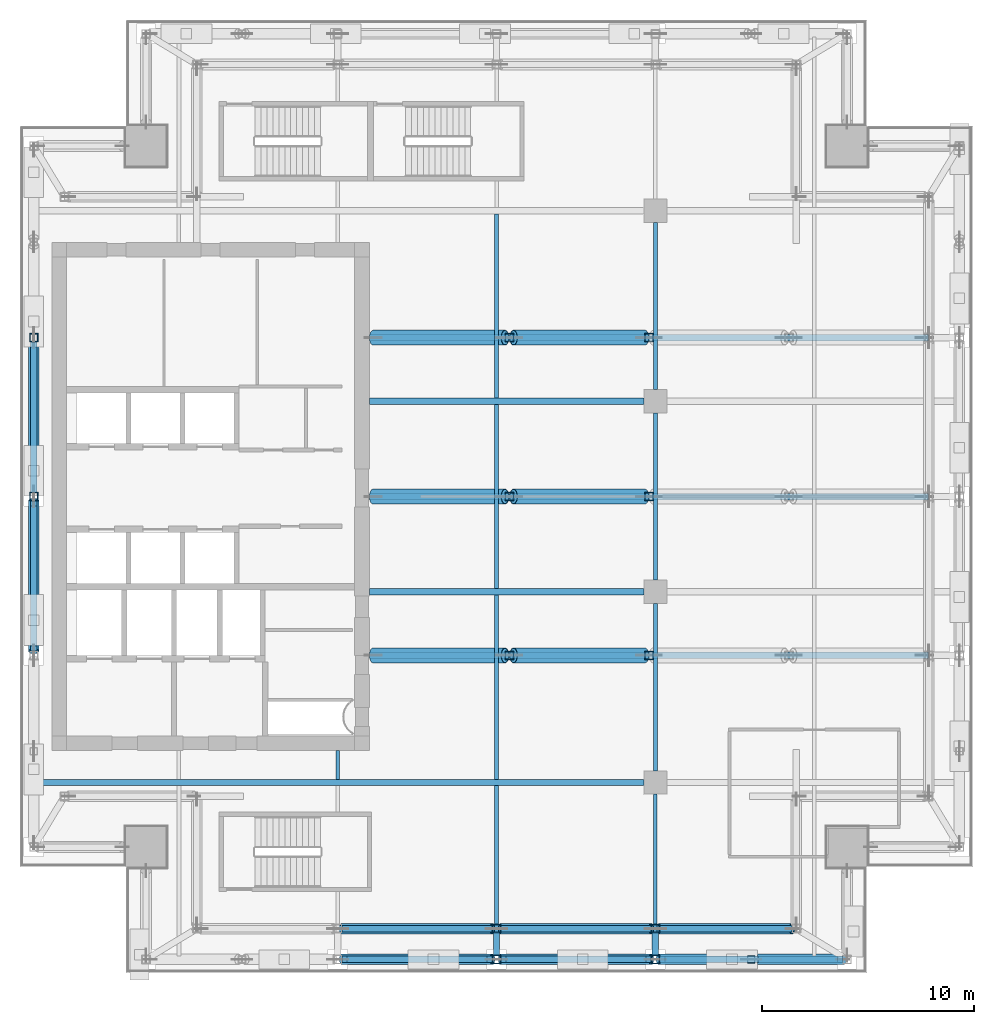
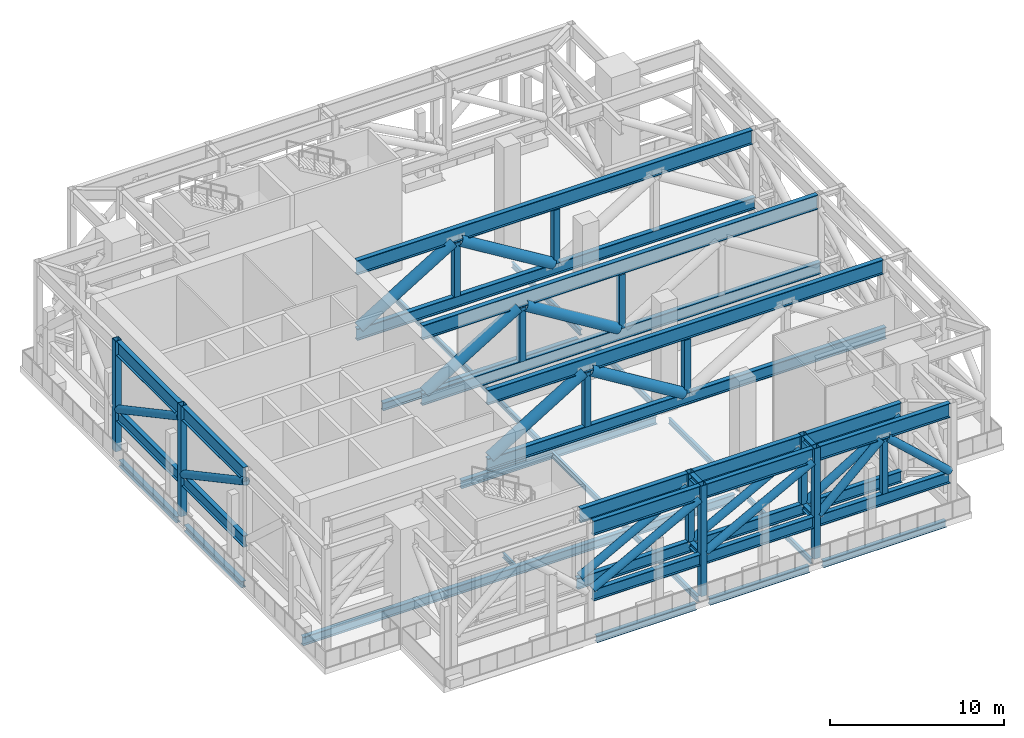
# One storey, part 2 of 15: 50 members, 21 beams.
"""IFC4 building model written with IfcOpenShell, lengths in metres."""

from ifc_helpers import new_model, si_unit, direction, frame, origin, origin_2d, place, context, subcontext, project, spatial, hollow_rectangle, hollow_circle, i_section, extrude, source, transform, mapped, material, material_profile, profile_set, type_object, element, save


model = new_model("IFC4")

# Units and contexts
model_context = context("Model", 3, precision=1e-05, world=origin(), true_north=direction((0.0, 1.0)))
body_context = subcontext(model_context, "Body", "Model", "MODEL_VIEW")
ifc_project = project(units=[si_unit("LENGTHUNIT", "METRE"), si_unit("AREAUNIT", "SQUARE_METRE"), si_unit("VOLUMEUNIT", "CUBIC_METRE"), si_unit("PLANEANGLEUNIT", "RADIAN"), si_unit("MASSUNIT", "GRAM", prefix="KILO")], contexts=[model_context])

# Site, building, storey
site_placement = place(None, origin())
site = spatial("IfcSite", under=ifc_project, at=site_placement, CompositionType="ELEMENT")
building_placement = place(site_placement, origin())
building = spatial("IfcBuilding", under=site, at=building_placement, Name="Khomas Fold Tower", CompositionType="ELEMENT")
storey_placement = place(building_placement, frame((0.0, 0.0, 274.199951171875)))
storey = spatial("IfcBuildingStorey", under=building, at=storey_placement, Name="L62", CompositionType="ELEMENT", Elevation=274.199951171875)

# Beams
ifc_material_1 = material(Name="Steel S355", Category="steel")
ifc_material_profile_1 = material_profile(ifc_material_1, i_section(OverallWidth=0.179931640625, OverallDepth=0.39990234375, WebThickness=0.008544921875, FlangeThickness=0.013427734375, at=origin_2d()), Name="IPE 400")
ifc_profile_set_1 = profile_set([ifc_material_profile_1], Name="Steel S355")
beam_type_1 = type_object("IfcBeamType", Name="IPE 400 beam JB3", PredefinedType="BEAM", material=ifc_profile_set_1)
shared_shape_1 = source(origin(), body_context, "Body", "SweptSolid", [
    extrude(i_section(OverallWidth=0.179931640625, OverallDepth=0.39990234375, WebThickness=0.008544921875, FlangeThickness=0.013427734375, at=origin_2d()), origin(), (0.0, 0.0, 1.0), 8.7001953125),
])
for number, where, z_axis, x_axis, name in (
    (1, (27.0, 13.64990234375, -0.599853515625), (0.0, 1.0, 0.0), (-1.0, 0.0, 0.0), "JB3"),
    (2, (27.0, 22.64990234375, -0.599853515625), (0.0, 1.0, 0.0), (-1.0, 0.0, 0.0), "JB3"),
    (3, (27.0, 31.64990234375, -0.599853515625), (0.0, 1.0, 0.0), (-1.0, 0.0, 0.0), "JB3"),
):
    element("IfcBeam", number, at=place(storey_placement, frame(where, z_axis=z_axis, x_axis=x_axis)), inside=storey, type_object=beam_type_1, Name=name, PredefinedType="BEAM", context=body_context, shape_type="MappedRepresentation", body=[
        mapped(shared_shape_1, transform((0.0, 0.0, 0.0))),
    ])
ifc_material_2 = material(Name="Steel S355", Category="steel")
ifc_material_profile_2 = material_profile(ifc_material_2, i_section(OverallWidth=0.159912109375, OverallDepth=0.330078125, WebThickness=0.007568359375, FlangeThickness=0.011474609375, at=origin_2d()), Name="IPE 330")
ifc_profile_set_2 = profile_set([ifc_material_profile_2], Name="Steel S355")
beam_type_2 = type_object("IfcBeamType", Name="IPE 330 beam JB1", PredefinedType="BEAM", material=ifc_profile_set_2)
shared_shape_2 = source(origin(), body_context, "Body", "SweptSolid", [
    extrude(i_section(OverallWidth=0.159912109375, OverallDepth=0.330078125, WebThickness=0.007568359375, FlangeThickness=0.011474609375, at=origin_2d()), origin(), (0.0, 0.0, 1.0), 1.35009765625),
])
beam_1_placement = place(storey_placement, frame((19.5, 13.64990234375, -0.56494140625), z_axis=(0.0, 1.0, 0.0), x_axis=(-1.0, 0.0, 0.0)))
element("IfcBeam", 4, at=beam_1_placement, inside=storey, type_object=beam_type_2, Name="JB1", PredefinedType="BEAM", context=body_context, shape_type="MappedRepresentation", body=[
    mapped(shared_shape_2, transform((0.0, 0.0, 0.0))),
])
ifc_material_3 = material(Name="Steel S355", Category="steel")
ifc_material_profile_3 = material_profile(ifc_material_3, i_section(OverallWidth=0.300048828125, OverallDepth=0.449951171875, WebThickness=0.013916015625, FlangeThickness=0.02587890625, at=origin_2d()), Name="HE 450 B")
ifc_profile_set_3 = profile_set([ifc_material_profile_3], Name="Steel S355")
beam_type_3 = type_object("IfcBeamType", Name="HE 450 B spandrel SB4", PredefinedType="SPANDREL", material=ifc_profile_set_3)
shared_shape_3 = source(origin(), body_context, "Body", "SweptSolid", [
    extrude(i_section(OverallWidth=0.300048828125, OverallDepth=0.449951171875, WebThickness=0.013916015625, FlangeThickness=0.02587890625, at=origin_2d()), origin(), (0.0, 0.0, 1.0), 8.150146484375),
])
beam_2_placement = place(storey_placement, frame((34.949951171875, 5.14990234375, -0.625), z_axis=(1.0, 0.0, 0.0), x_axis=(0.0, 1.0, 0.0)))
element("IfcBeam", 5, at=beam_2_placement, inside=storey, type_object=beam_type_3, Name="SB4", PredefinedType="SPANDREL", context=body_context, shape_type="MappedRepresentation", body=[
    mapped(shared_shape_3, transform((0.0, 0.0, 0.0))),
])
shared_shape_4 = source(origin(), body_context, "Body", "SweptSolid", [
    extrude(i_section(OverallWidth=0.300048828125, OverallDepth=0.449951171875, WebThickness=0.013916015625, FlangeThickness=0.02587890625, at=origin_2d()), origin(), (0.0, 0.0, 1.0), 6.60009765625),
])
for number, where, z_axis, x_axis, name in (
    (6, (19.949951171875, 5.14990234375, -0.625), (1.0, 0.0, 0.0), (0.0, 1.0, 0.0), "SB4"),
    (7, (27.449951171875, 5.14990234375, -0.625), (1.0, 0.0, 0.0), (0.0, 1.0, 0.0), "SB4"),
    (8, (5.14990234375, 27.449951171875, -0.625), (0.0, 1.0, 0.0), (-1.0, 0.0, 0.0), "SB4"),
    (9, (5.14990234375, 19.949951171875, -0.625), (0.0, 1.0, 0.0), (-1.0, 0.0, 0.0), "SB4"),
):
    element("IfcBeam", number, at=place(storey_placement, frame(where, z_axis=z_axis, x_axis=x_axis)), inside=storey, type_object=beam_type_3, Name=name, PredefinedType="SPANDREL", context=body_context, shape_type="MappedRepresentation", body=[
        mapped(shared_shape_4, transform((0.0, 0.0, 0.0))),
    ])
ifc_material_4 = material(Name="Steel S355", Category="steel")
ifc_material_profile_4 = material_profile(ifc_material_4, i_section(OverallWidth=0.300048828125, OverallDepth=0.60009765625, WebThickness=0.015380859375, FlangeThickness=0.030029296875, at=origin_2d()), Name="HE 600 B")
ifc_profile_set_4 = profile_set([ifc_material_profile_4], Name="Steel S355")
beam_type_4 = type_object("IfcBeamType", Name="HE 600 B beam GB5", PredefinedType="BEAM", material=ifc_profile_set_4)
shared_shape_5 = source(origin(), body_context, "Body", "SweptSolid", [
    extrude(i_section(OverallWidth=0.300048828125, OverallDepth=0.60009765625, WebThickness=0.015380859375, FlangeThickness=0.030029296875, at=origin_2d()), origin(), (0.0, 0.0, 1.0), 28.64990234375),
])
beam_3_placement = place(storey_placement, frame((5.300048828125, 13.5, -0.699951171875), z_axis=(1.0, 0.0, 0.0), x_axis=(0.0, 1.0, 0.0)))
element("IfcBeam", 10, at=beam_3_placement, inside=storey, type_object=beam_type_4, Name="GB5", PredefinedType="BEAM", context=body_context, shape_type="MappedRepresentation", body=[
    mapped(shared_shape_5, transform((0.0, 0.0, 0.0))),
])
ifc_material_5 = material(Name="Steel S355", Category="steel")
ifc_material_profile_5 = material_profile(ifc_material_5, i_section(OverallWidth=0.300048828125, OverallDepth=0.550048828125, WebThickness=0.014892578125, FlangeThickness=0.029052734375, at=origin_2d()), Name="HE 550 B")
ifc_profile_set_5 = profile_set([ifc_material_profile_5], Name="Steel S355")
beam_type_5 = type_object("IfcBeamType", Name="HE 550 B beam GB4", PredefinedType="BEAM", material=ifc_profile_set_5)
shared_shape_6 = source(origin(), body_context, "Body", "SweptSolid", [
    extrude(i_section(OverallWidth=0.300048828125, OverallDepth=0.550048828125, WebThickness=0.014892578125, FlangeThickness=0.029052734375, at=origin_2d()), origin(), (0.0, 0.0, 1.0), 12.949951171875),
])
for number, where, z_axis, x_axis, name in (
    (11, (21.0, 22.5, -0.675048828125), (1.0, 0.0, 0.0), (0.0, 1.0, 0.0), "GB4"),
    (12, (21.0, 31.5, -0.675048828125), (1.0, 0.0, 0.0), (0.0, 1.0, 0.0), "GB4"),
):
    element("IfcBeam", number, at=place(storey_placement, frame(where, z_axis=z_axis, x_axis=x_axis)), inside=storey, type_object=beam_type_5, Name=name, PredefinedType="BEAM", context=body_context, shape_type="MappedRepresentation", body=[
        mapped(shared_shape_6, transform((0.0, 0.0, 0.0))),
    ])
shared_shape_7 = source(origin(), body_context, "Body", "SweptSolid", [
    extrude(i_section(OverallWidth=0.179931640625, OverallDepth=0.39990234375, WebThickness=0.008544921875, FlangeThickness=0.013427734375, at=origin_2d()), origin(), (0.0, 0.0, 1.0), 7.75),
])
beam_4_placement = place(storey_placement, frame((27.0, 5.60009765625, -0.599853515625), z_axis=(0.0, 1.0, 0.0), x_axis=(-1.0, 0.0, 0.0)))
element("IfcBeam", 13, at=beam_4_placement, inside=storey, type_object=beam_type_1, Name="JB3", PredefinedType="BEAM", context=body_context, shape_type="MappedRepresentation", body=[
    mapped(shared_shape_7, transform((0.0, 0.0, 0.0))),
])
ifc_material_6 = material(Name="Steel S355", Category="steel")
ifc_material_profile_6 = material_profile(ifc_material_6, i_section(OverallWidth=0.169921875, OverallDepth=0.360107421875, WebThickness=0.008056640625, FlangeThickness=0.0126953125, at=origin_2d()), Name="IPE 360")
ifc_profile_set_6 = profile_set([ifc_material_profile_6], Name="Steel S355")
beam_type_6 = type_object("IfcBeamType", Name="IPE 360 beam JB2", PredefinedType="BEAM", material=ifc_profile_set_6)
shared_shape_8 = source(origin(), body_context, "Body", "SweptSolid", [
    extrude(i_section(OverallWidth=0.169921875, OverallDepth=0.360107421875, WebThickness=0.008056640625, FlangeThickness=0.0126953125, at=origin_2d()), origin(), (0.0, 0.0, 1.0), 7.349853515625),
])
beam_5_placement = place(storey_placement, frame((34.5, 5.60009765625, -0.579833984375), z_axis=(0.0, 1.0, 0.0), x_axis=(-1.0, 0.0, 0.0)))
element("IfcBeam", 14, at=beam_5_placement, inside=storey, type_object=beam_type_6, Name="JB2", PredefinedType="BEAM", context=body_context, shape_type="MappedRepresentation", body=[
    mapped(shared_shape_8, transform((0.0, 0.0, 0.0))),
])
shared_shape_9 = source(origin(), body_context, "Body", "SweptSolid", [
    extrude(i_section(OverallWidth=0.179931640625, OverallDepth=0.39990234375, WebThickness=0.008544921875, FlangeThickness=0.013427734375, at=origin_2d()), origin(), (0.0, 0.0, 1.0), 7.89990234375),
])
for number, where, z_axis, x_axis, name in (
    (15, (34.5, 14.050048828125, -0.599853515625), (0.0, 1.0, 0.0), (-1.0, 0.0, 0.0), "JB3"),
    (16, (34.5, 23.050048828125, -0.599853515625), (0.0, 1.0, 0.0), (-1.0, 0.0, 0.0), "JB3"),
    (17, (34.5, 32.050048828125, -0.599853515625), (0.0, 1.0, 0.0), (-1.0, 0.0, 0.0), "JB3"),
):
    element("IfcBeam", number, at=place(storey_placement, frame(where, z_axis=z_axis, x_axis=x_axis)), inside=storey, type_object=beam_type_1, Name=name, PredefinedType="BEAM", context=body_context, shape_type="MappedRepresentation", body=[
        mapped(shared_shape_9, transform((0.0, 0.0, 0.0))),
    ])

# Members
ifc_material_7 = material(Name="Steel S460M", Category="steel")
ifc_material_profile_7 = material_profile(ifc_material_7, i_section(OverallWidth=0.300048828125, OverallDepth=1.0, WebThickness=0.01904296875, FlangeThickness=0.035888671875, at=origin_2d()), Name="HE 1000 B")
ifc_profile_set_7 = profile_set([ifc_material_profile_7], Name="Steel S460M")
member_type_1 = type_object("IfcMemberType", Name="BELT TRUSS 4 TOP CHORD HE 1000 B", PredefinedType="CHORD", material=ifc_profile_set_7)
shared_shape_10 = source(origin(), body_context, "Body", "SweptSolid", [
    extrude(i_section(OverallWidth=0.300048828125, OverallDepth=1.0, WebThickness=0.01904296875, FlangeThickness=0.035888671875, at=origin_2d()), origin(), (0.0, 0.0, 1.0), 8.650146484375),
])
member_1_placement = place(storey_placement, frame((34.699951171875, 5.14990234375, 7.25), z_axis=(1.0, 0.0, 0.0), x_axis=(0.0, 1.0, 0.0)))
element("IfcMember", 18, at=member_1_placement, inside=storey, type_object=member_type_1, Name="BT4-CT", PredefinedType="CHORD", context=body_context, shape_type="MappedRepresentation", body=[
    mapped(shared_shape_10, transform((0.0, 0.0, 0.0))),
])
ifc_material_8 = material(Name="Steel S460M", Category="steel")
ifc_material_profile_8 = material_profile(ifc_material_8, i_section(OverallWidth=0.300048828125, OverallDepth=0.800048828125, WebThickness=0.017578125, FlangeThickness=0.032958984375, at=origin_2d()), Name="HE 800 B")
ifc_profile_set_8 = profile_set([ifc_material_profile_8], Name="Steel S460M")
member_type_2 = type_object("IfcMemberType", Name="BELT TRUSS 4 BOTTOM CHORD HE 800 B", PredefinedType="CHORD", material=ifc_profile_set_8)
shared_shape_11 = source(origin(), body_context, "Body", "SweptSolid", [
    extrude(i_section(OverallWidth=0.300048828125, OverallDepth=0.800048828125, WebThickness=0.017578125, FlangeThickness=0.032958984375, at=origin_2d()), origin(), (0.0, 0.0, 1.0), 8.650146484375),
])
member_2_placement = place(storey_placement, frame((34.699951171875, 5.14990234375, 2.550048828125), z_axis=(1.0, 0.0, 0.0), x_axis=(0.0, 1.0, 0.0)))
element("IfcMember", 19, at=member_2_placement, inside=storey, type_object=member_type_2, Name="BT4-CB", PredefinedType="CHORD", context=body_context, shape_type="MappedRepresentation", body=[
    mapped(shared_shape_11, transform((0.0, 0.0, 0.0))),
])
ifc_material_9 = material(Name="Steel S355", Category="steel")
ifc_material_profile_9 = material_profile(ifc_material_9, hollow_circle(Radius=0.25390625, WallThickness=0.02001953125, at=origin_2d()), Name="CHS 508x20")
ifc_profile_set_9 = profile_set([ifc_material_profile_9], Name="Steel S355")
member_type_3 = type_object("IfcMemberType", Name="BELT TRUSS 4 DIAGONAL CHS 508x20", PredefinedType="BRACE", material=ifc_profile_set_9)
shared_shape_12 = source(origin(), body_context, "Body", "SweptSolid", [
    extrude(hollow_circle(Radius=0.25390625, WallThickness=0.02001953125, at=origin_2d()), origin(), (0.0, 0.0, 1.0), 5.6337890625),
])
for number, where, z_axis, x_axis, name in (
    (20, (34.699951171875, 5.14990234375, 2.945068359375), (0.736644872109, 0.0, 0.676279773759), (0.0, 1.0, 0.0), "BT4-D"),
    (21, (39.199951171875, 5.14990234375, 6.755126953125), (0.736644872109, 0.0, -0.676279773759), (0.0, 1.0, 0.0), "BT4-D"),
):
    element("IfcMember", number, at=place(storey_placement, frame(where, z_axis=z_axis, x_axis=x_axis)), inside=storey, type_object=member_type_3, Name=name, PredefinedType="BRACE", context=body_context, shape_type="MappedRepresentation", body=[
        mapped(shared_shape_12, transform((0.0, 0.0, 0.0))),
    ])
ifc_material_10 = material(Name="Steel S355", Category="steel")
ifc_material_profile_10 = material_profile(ifc_material_10, hollow_rectangle(XDim=0.35009765625, YDim=0.35009765625, WallThickness=0.02001953125, at=origin_2d()), Name="SHS 350x350x20")
ifc_profile_set_10 = profile_set([ifc_material_profile_10], Name="Steel S355")
member_type_4 = type_object("IfcMemberType", Name="BELT TRUSS 4 MID POST SHS 350x350x20", PredefinedType="POST", material=ifc_profile_set_10)
shared_shape_13 = source(origin(), body_context, "Body", "SweptSolid", [
    extrude(hollow_rectangle(XDim=0.35009765625, YDim=0.35009765625, WallThickness=0.02001953125, at=origin_2d()), origin(), (0.0, 0.0, 1.0), 3.800048828125),
])
member_3_placement = place(storey_placement, frame((39.02490234375, 5.14990234375, 2.949951171875), z_axis=(0.0, 0.0, 1.0), x_axis=(1.0, 0.0, 0.0)))
element("IfcMember", 22, at=member_3_placement, inside=storey, type_object=member_type_4, Name="BT4-M", PredefinedType="POST", context=body_context, shape_type="MappedRepresentation", body=[
    mapped(shared_shape_13, transform((0.0, 0.0, 0.0))),
])
shared_shape_14 = source(origin(), body_context, "Body", "SweptSolid", [
    extrude(i_section(OverallWidth=0.300048828125, OverallDepth=1.0, WebThickness=0.01904296875, FlangeThickness=0.035888671875, at=origin_2d()), origin(), (0.0, 0.0, 1.0), 7.10009765625),
])
for number, where, z_axis, x_axis, name in (
    (23, (19.699951171875, 5.14990234375, 7.25), (1.0, 0.0, 0.0), (0.0, 1.0, 0.0), "BT4-CT"),
    (24, (27.199951171875, 5.14990234375, 7.25), (1.0, 0.0, 0.0), (0.0, 1.0, 0.0), "BT4-CT"),
    (25, (5.14990234375, 34.300048828125, 7.25), (0.0, -1.0, 0.0), (1.0, 0.0, 0.0), "BT4-CT"),
    (26, (5.14990234375, 26.800048828125, 7.25), (0.0, -1.0, 0.0), (1.0, 0.0, 0.0), "BT4-CT"),
    (27, (19.699951171875, 6.60009765625, 7.25), (1.0, 0.0, 0.0), (0.0, 1.0, 0.0), "BT4-CT"),
    (28, (27.199951171875, 6.60009765625, 7.25), (1.0, 0.0, 0.0), (0.0, 1.0, 0.0), "BT4-CT"),
):
    element("IfcMember", number, at=place(storey_placement, frame(where, z_axis=z_axis, x_axis=x_axis)), inside=storey, type_object=member_type_1, Name=name, PredefinedType="CHORD", context=body_context, shape_type="MappedRepresentation", body=[
        mapped(shared_shape_14, transform((0.0, 0.0, 0.0))),
    ])
shared_shape_15 = source(origin(), body_context, "Body", "SweptSolid", [
    extrude(i_section(OverallWidth=0.300048828125, OverallDepth=0.800048828125, WebThickness=0.017578125, FlangeThickness=0.032958984375, at=origin_2d()), origin(), (0.0, 0.0, 1.0), 7.10009765625),
])
for number, where, z_axis, x_axis, name in (
    (29, (19.699951171875, 5.14990234375, 2.550048828125), (1.0, 0.0, 0.0), (0.0, 1.0, 0.0), "BT4-CB"),
    (30, (27.199951171875, 5.14990234375, 2.550048828125), (1.0, 0.0, 0.0), (0.0, 1.0, 0.0), "BT4-CB"),
    (31, (5.14990234375, 34.300048828125, 2.550048828125), (0.0, -1.0, 0.0), (1.0, 0.0, 0.0), "BT4-CB"),
    (32, (5.14990234375, 26.800048828125, 2.550048828125), (0.0, -1.0, 0.0), (1.0, 0.0, 0.0), "BT4-CB"),
):
    element("IfcMember", number, at=place(storey_placement, frame(where, z_axis=z_axis, x_axis=x_axis)), inside=storey, type_object=member_type_2, Name=name, PredefinedType="CHORD", context=body_context, shape_type="MappedRepresentation", body=[
        mapped(shared_shape_15, transform((0.0, 0.0, 0.0))),
    ])
shared_shape_16 = source(origin(), body_context, "Body", "SweptSolid", [
    extrude(hollow_circle(Radius=0.25390625, WallThickness=0.02001953125, at=origin_2d()), origin(), (0.0, 0.0, 1.0), 8.057861328125),
])
for number, where, z_axis, x_axis, name in (
    (33, (19.699951171875, 5.14990234375, 2.945068359375), (0.881147336549, 0.0, 0.472841803665), (0.0, 1.0, 0.0), "BT4-D"),
    (34, (27.199951171875, 5.14990234375, 2.945068359375), (0.881147336549, 0.0, 0.472841803665), (0.0, 1.0, 0.0), "BT4-D"),
    (35, (5.14990234375, 34.300048828125, 2.945068359375), (0.0, -0.881147336549, 0.472841803665), (1.0, 0.0, 0.0), "BT4-D"),
    (36, (5.14990234375, 26.800048828125, 2.945068359375), (0.0, -0.881147336549, 0.472841803665), (1.0, 0.0, 0.0), "BT4-D"),
    (37, (19.699951171875, 6.60009765625, 2.945068359375), (0.881147336549, 0.0, 0.472841803665), (0.0, 1.0, 0.0), "BT4-D"),
    (38, (27.199951171875, 6.60009765625, 2.945068359375), (0.881147336549, 0.0, 0.472841803665), (0.0, 1.0, 0.0), "BT4-D"),
):
    element("IfcMember", number, at=place(storey_placement, frame(where, z_axis=z_axis, x_axis=x_axis)), inside=storey, type_object=member_type_3, Name=name, PredefinedType="BRACE", context=body_context, shape_type="MappedRepresentation", body=[
        mapped(shared_shape_16, transform((0.0, 0.0, 0.0))),
    ])
shared_shape_17 = source(origin(), body_context, "Body", "SweptSolid", [
    extrude(i_section(OverallWidth=0.300048828125, OverallDepth=1.0, WebThickness=0.01904296875, FlangeThickness=0.035888671875, at=origin_2d()), origin(), (0.0, 0.0, 1.0), 6.25),
])
member_4_placement = place(storey_placement, frame((34.699951171875, 6.60009765625, 7.25), z_axis=(1.0, 0.0, 0.0), x_axis=(0.0, 1.0, 0.0)))
element("IfcMember", 39, at=member_4_placement, inside=storey, type_object=member_type_1, Name="BT4-CT", PredefinedType="CHORD", context=body_context, shape_type="MappedRepresentation", body=[
    mapped(shared_shape_17, transform((0.0, 0.0, 0.0))),
])
shared_shape_18 = source(origin(), body_context, "Body", "SweptSolid", [
    extrude(i_section(OverallWidth=0.300048828125, OverallDepth=0.800048828125, WebThickness=0.017578125, FlangeThickness=0.032958984375, at=origin_2d()), origin(), (0.0, 0.0, 1.0), 6.5),
])
member_5_placement = place(storey_placement, frame((34.5, 6.60009765625, 2.550048828125), z_axis=(1.0, 0.0, 0.0), x_axis=(0.0, 1.0, 0.0)))
element("IfcMember", 40, at=member_5_placement, inside=storey, type_object=member_type_2, Name="BT4-CB", PredefinedType="CHORD", context=body_context, shape_type="MappedRepresentation", body=[
    mapped(shared_shape_18, transform((0.0, 0.0, 0.0))),
])
shared_shape_19 = source(origin(), body_context, "Body", "SweptSolid", [
    extrude(hollow_circle(Radius=0.25390625, WallThickness=0.02001953125, at=origin_2d()), origin(), (0.0, 0.0, 1.0), 7.31982421875),
])
member_6_placement = place(storey_placement, frame((34.699951171875, 6.60009765625, 2.945068359375), z_axis=(0.853851856649, 0.0, 0.520516096674), x_axis=(0.0, 1.0, 0.0)))
element("IfcMember", 41, at=member_6_placement, inside=storey, type_object=member_type_3, Name="BT4-D", PredefinedType="BRACE", context=body_context, shape_type="MappedRepresentation", body=[
    mapped(shared_shape_19, transform((0.0, 0.0, 0.0))),
])
shared_shape_20 = source(origin(), body_context, "Body", "SweptSolid", [
    extrude(i_section(OverallWidth=0.300048828125, OverallDepth=0.800048828125, WebThickness=0.017578125, FlangeThickness=0.032958984375, at=origin_2d()), origin(), (0.0, 0.0, 1.0), 7.5),
])
for number, where, z_axis, x_axis, name in (
    (42, (19.5, 6.60009765625, 2.550048828125), (1.0, 0.0, 0.0), (0.0, 1.0, 0.0), "BT4-CB"),
    (43, (27.0, 6.60009765625, 2.550048828125), (1.0, 0.0, 0.0), (0.0, 1.0, 0.0), "BT4-CB"),
):
    element("IfcMember", number, at=place(storey_placement, frame(where, z_axis=z_axis, x_axis=x_axis)), inside=storey, type_object=member_type_2, Name=name, PredefinedType="CHORD", context=body_context, shape_type="MappedRepresentation", body=[
        mapped(shared_shape_20, transform((0.0, 0.0, 0.0))),
    ])
ifc_material_11 = material(Name="Steel S460M", Category="steel")
ifc_material_profile_11 = material_profile(ifc_material_11, hollow_rectangle(XDim=0.39990234375, YDim=0.39990234375, WallThickness=0.02490234375, at=origin_2d()), Name="SHS 400x400x25")
ifc_profile_set_11 = profile_set([ifc_material_profile_11], Name="Steel S460M")
member_type_5 = type_object("IfcMemberType", Name="BELT TRUSS 4 COLUMN POST SHS 400x400x25", PredefinedType="POST", material=ifc_profile_set_11)
shared_shape_21 = source(origin(), body_context, "Body", "SweptSolid", [
    extrude(hollow_rectangle(XDim=0.39990234375, YDim=0.39990234375, WallThickness=0.02490234375, at=origin_2d()), origin(), (0.0, 0.0, 1.0), 7.75),
])
for number, where, z_axis, x_axis, name in (
    (44, (27.0, 5.14990234375, 0.0), (0.0, 0.0, 1.0), (1.0, 0.0, 0.0), "BT4-P"),
    (45, (34.5, 5.14990234375, 0.0), (0.0, 0.0, 1.0), (1.0, 0.0, 0.0), "BT4-P"),
    (46, (5.14990234375, 34.5, 0.0), (0.0, 0.0, 1.0), (1.0, 0.0, 0.0), "BT4-P"),
    (47, (5.14990234375, 27.0, 0.0), (0.0, 0.0, 1.0), (1.0, 0.0, 0.0), "BT4-P"),
):
    element("IfcMember", number, at=place(storey_placement, frame(where, z_axis=z_axis, x_axis=x_axis)), inside=storey, type_object=member_type_5, Name=name, PredefinedType="POST", context=body_context, shape_type="MappedRepresentation", body=[
        mapped(shared_shape_21, transform((0.0, 0.0, 0.0))),
    ])
ifc_material_12 = material(Name="Steel S460M", Category="steel")
ifc_material_profile_12 = material_profile(ifc_material_12, hollow_rectangle(XDim=0.39990234375, YDim=0.39990234375, WallThickness=0.02490234375, at=origin_2d()), Name="SHS 400x400x25")
ifc_profile_set_12 = profile_set([ifc_material_profile_12], Name="Steel S460M")
member_type_6 = type_object("IfcMemberType", Name="BELT TRUSS 4 COLUMN POST SHORT SHS 400x400x25", PredefinedType="POST", material=ifc_profile_set_12)
shared_shape_22 = source(origin(), body_context, "Body", "SweptSolid", [
    extrude(hollow_rectangle(XDim=0.39990234375, YDim=0.39990234375, WallThickness=0.02490234375, at=origin_2d()), origin(), (0.0, 0.0, 1.0), 4.800048828125),
])
for number, where, z_axis, x_axis, name in (
    (48, (27.0, 6.60009765625, 2.949951171875), (0.0, 0.0, 1.0), (1.0, 0.0, 0.0), "BT4-PS"),
    (49, (34.5, 6.60009765625, 2.949951171875), (0.0, 0.0, 1.0), (1.0, 0.0, 0.0), "BT4-PS"),
):
    element("IfcMember", number, at=place(storey_placement, frame(where, z_axis=z_axis, x_axis=x_axis)), inside=storey, type_object=member_type_6, Name=name, PredefinedType="POST", context=body_context, shape_type="MappedRepresentation", body=[
        mapped(shared_shape_22, transform((0.0, 0.0, 0.0))),
    ])

# Beams
ifc_material_13 = material(Name="Steel S355", Category="steel")
ifc_material_profile_13 = material_profile(ifc_material_13, i_section(OverallWidth=0.300048828125, OverallDepth=0.39990234375, WebThickness=0.013427734375, FlangeThickness=0.02392578125, at=origin_2d()), Name="HE 400 B")
ifc_profile_set_13 = profile_set([ifc_material_profile_13], Name="Steel S355")
beam_type_7 = type_object("IfcBeamType", Name="BELT TRUSS 4 TOP STRUT HE 400 B", PredefinedType="BEAM", material=ifc_profile_set_13)
shared_shape_23 = source(origin(), body_context, "Body", "SweptSolid", [
    extrude(i_section(OverallWidth=0.300048828125, OverallDepth=0.39990234375, WebThickness=0.013427734375, FlangeThickness=0.02392578125, at=origin_2d()), origin(), (0.0, 0.0, 1.0), 1.0498046875),
])
for number, where, z_axis, x_axis, name in (
    (50, (27.0, 6.39990234375, 7.550048828125), (0.0, -1.0, 0.0), (1.0, 0.0, 0.0), "BT4-ST"),
    (51, (34.5, 6.39990234375, 7.550048828125), (0.0, -1.0, 0.0), (1.0, 0.0, 0.0), "BT4-ST"),
):
    element("IfcBeam", number, at=place(storey_placement, frame(where, z_axis=z_axis, x_axis=x_axis)), inside=storey, type_object=beam_type_7, Name=name, PredefinedType="BEAM", context=body_context, shape_type="MappedRepresentation", body=[
        mapped(shared_shape_23, transform((0.0, 0.0, 0.0))),
    ])
ifc_material_14 = material(Name="Steel S355", Category="steel")
ifc_material_profile_14 = material_profile(ifc_material_14, i_section(OverallWidth=0.300048828125, OverallDepth=0.39990234375, WebThickness=0.013427734375, FlangeThickness=0.02392578125, at=origin_2d()), Name="HE 400 B")
ifc_profile_set_14 = profile_set([ifc_material_profile_14], Name="Steel S355")
beam_type_8 = type_object("IfcBeamType", Name="BELT TRUSS 4 BOTTOM STRUT HE 400 B", PredefinedType="BEAM", material=ifc_profile_set_14)
shared_shape_24 = source(origin(), body_context, "Body", "SweptSolid", [
    extrude(i_section(OverallWidth=0.300048828125, OverallDepth=0.39990234375, WebThickness=0.013427734375, FlangeThickness=0.02392578125, at=origin_2d()), origin(), (0.0, 0.0, 1.0), 1.099853515625),
])
for number, where, z_axis, x_axis, name in (
    (52, (27.0, 6.449951171875, 2.75), (0.0, -1.0, 0.0), (1.0, 0.0, 0.0), "BT4-SB"),
    (53, (34.5, 6.449951171875, 2.75), (0.0, -1.0, 0.0), (1.0, 0.0, 0.0), "BT4-SB"),
):
    element("IfcBeam", number, at=place(storey_placement, frame(where, z_axis=z_axis, x_axis=x_axis)), inside=storey, type_object=beam_type_8, Name=name, PredefinedType="BEAM", context=body_context, shape_type="MappedRepresentation", body=[
        mapped(shared_shape_24, transform((0.0, 0.0, 0.0))),
    ])

# Members
ifc_material_15 = material(Name="Steel S460M", Category="steel")
ifc_material_profile_15 = material_profile(ifc_material_15, i_section(OverallWidth=0.302001953125, OverallDepth=1.008056640625, WebThickness=0.02099609375, FlangeThickness=0.0400390625, at=origin_2d()), Name="HE 1000 M")
ifc_profile_set_15 = profile_set([ifc_material_profile_15], Name="Steel S460M")
member_type_7 = type_object("IfcMemberType", Name="OUTRIGGER 3 TOP CHORD HE 1000 M", PredefinedType="CHORD", material=ifc_profile_set_15)
shared_shape_25 = source(origin(), body_context, "Body", "SweptSolid", [
    extrude(i_section(OverallWidth=0.302001953125, OverallDepth=1.008056640625, WebThickness=0.02099609375, FlangeThickness=0.0400390625, at=origin_2d()), origin(), (0.0, 0.0, 1.0), 26.199951171875),
])
for number, where, z_axis, x_axis, name in (
    (54, (21.0, 19.5, 7.24609375), (1.0, 0.0, 0.0), (0.0, 1.0, 0.0), "OR3-CT"),
    (55, (21.0, 27.0, 7.24609375), (1.0, 0.0, 0.0), (0.0, 1.0, 0.0), "OR3-CT"),
    (56, (21.0, 34.5, 7.24609375), (1.0, 0.0, 0.0), (0.0, 1.0, 0.0), "OR3-CT"),
):
    element("IfcMember", number, at=place(storey_placement, frame(where, z_axis=z_axis, x_axis=x_axis)), inside=storey, type_object=member_type_7, Name=name, PredefinedType="CHORD", context=body_context, shape_type="MappedRepresentation", body=[
        mapped(shared_shape_25, transform((0.0, 0.0, 0.0))),
    ])
ifc_material_16 = material(Name="Steel S460M", Category="steel")
ifc_material_profile_16 = material_profile(ifc_material_16, i_section(OverallWidth=0.302978515625, OverallDepth=0.81396484375, WebThickness=0.02099609375, FlangeThickness=0.0400390625, at=origin_2d()), Name="HE 800 M")
ifc_profile_set_16 = profile_set([ifc_material_profile_16], Name="Steel S460M")
member_type_8 = type_object("IfcMemberType", Name="OUTRIGGER 3 BOTTOM CHORD HE 800 M", PredefinedType="CHORD", material=ifc_profile_set_16)
shared_shape_26 = source(origin(), body_context, "Body", "SweptSolid", [
    extrude(i_section(OverallWidth=0.302978515625, OverallDepth=0.81396484375, WebThickness=0.02099609375, FlangeThickness=0.0400390625, at=origin_2d()), origin(), (0.0, 0.0, 1.0), 26.39990234375),
])
for number, where, z_axis, x_axis, name in (
    (57, (21.0, 19.5, 2.55712890625), (1.0, 0.0, 0.0), (0.0, 1.0, 0.0), "OR3-CB"),
    (58, (21.0, 27.0, 2.55712890625), (1.0, 0.0, 0.0), (0.0, 1.0, 0.0), "OR3-CB"),
    (59, (21.0, 34.5, 2.55712890625), (1.0, 0.0, 0.0), (0.0, 1.0, 0.0), "OR3-CB"),
):
    element("IfcMember", number, at=place(storey_placement, frame(where, z_axis=z_axis, x_axis=x_axis)), inside=storey, type_object=member_type_8, Name=name, PredefinedType="CHORD", context=body_context, shape_type="MappedRepresentation", body=[
        mapped(shared_shape_26, transform((0.0, 0.0, 0.0))),
    ])
ifc_material_17 = material(Name="Steel S355", Category="steel")
ifc_material_profile_17 = material_profile(ifc_material_17, hollow_circle(Radius=0.35546875, WallThickness=0.02490234375, at=origin_2d()), Name="CHS 711x25")
ifc_profile_set_17 = profile_set([ifc_material_profile_17], Name="Steel S355")
member_type_9 = type_object("IfcMemberType", Name="OUTRIGGER 3 DIAGONAL CHS 711x25", PredefinedType="BRACE", material=ifc_profile_set_17)
shared_shape_27 = source(origin(), body_context, "Body", "SweptSolid", [
    extrude(hollow_circle(Radius=0.35546875, WallThickness=0.02490234375, at=origin_2d()), origin(), (0.0, 0.0, 1.0), 7.281982421875),
])
for number, where, z_axis, x_axis, name in (
    (60, (21.1806640625, 19.5, 2.958984375), (0.854048322264, 0.0, 0.520193678584), (0.0, 1.0, 0.0), "OR3-D"),
    (61, (21.1806640625, 27.0, 2.958984375), (0.854048322264, 0.0, 0.520193678584), (0.0, 1.0, 0.0), "OR3-D"),
    (62, (21.1806640625, 34.5, 2.958984375), (0.854048322264, 0.0, 0.520193678584), (0.0, 1.0, 0.0), "OR3-D"),
):
    element("IfcMember", number, at=place(storey_placement, frame(where, z_axis=z_axis, x_axis=x_axis)), inside=storey, type_object=member_type_9, Name=name, PredefinedType="BRACE", context=body_context, shape_type="MappedRepresentation", body=[
        mapped(shared_shape_27, transform((0.0, 0.0, 0.0))),
    ])
shared_shape_28 = source(origin(), body_context, "Body", "SweptSolid", [
    extrude(hollow_circle(Radius=0.35546875, WallThickness=0.02490234375, at=origin_2d()), origin(), (0.0, 0.0, 1.0), 7.265625),
])
for number, where, z_axis, x_axis, name in (
    (63, (27.800048828125, 19.5, 6.7470703125), (0.85332917533, 0.0, -0.52137253335), (0.0, 1.0, 0.0), "OR3-D"),
    (64, (27.800048828125, 27.0, 6.7470703125), (0.85332917533, 0.0, -0.52137253335), (0.0, 1.0, 0.0), "OR3-D"),
    (65, (27.800048828125, 34.5, 6.7470703125), (0.85332917533, 0.0, -0.52137253335), (0.0, 1.0, 0.0), "OR3-D"),
):
    element("IfcMember", number, at=place(storey_placement, frame(where, z_axis=z_axis, x_axis=x_axis)), inside=storey, type_object=member_type_9, Name=name, PredefinedType="BRACE", context=body_context, shape_type="MappedRepresentation", body=[
        mapped(shared_shape_28, transform((0.0, 0.0, 0.0))),
    ])
ifc_material_18 = material(Name="Steel S460M", Category="steel")
ifc_material_profile_18 = material_profile(ifc_material_18, hollow_rectangle(XDim=0.39990234375, YDim=0.39990234375, WallThickness=0.02001953125, at=origin_2d()), Name="SHS 400x400x20")
ifc_profile_set_18 = profile_set([ifc_material_profile_18], Name="Steel S460M")
member_type_10 = type_object("IfcMemberType", Name="OUTRIGGER 3 MID POST SHS 400x400x20", PredefinedType="POST", material=ifc_profile_set_18)
shared_shape_29 = source(origin(), body_context, "Body", "SweptSolid", [
    extrude(hollow_rectangle(XDim=0.39990234375, YDim=0.39990234375, WallThickness=0.02001953125, at=origin_2d()), origin(), (0.0, 0.0, 1.0), 3.77783203125),
])
for number, where, z_axis, x_axis, name in (
    (66, (27.60009765625, 19.5, 2.964111328125), (0.0, 0.0, 1.0), (1.0, 0.0, 0.0), "OR3-M"),
    (67, (34.199951171875, 19.5, 2.964111328125), (0.0, 0.0, 1.0), (1.0, 0.0, 0.0), "OR3-M"),
    (68, (27.60009765625, 27.0, 2.964111328125), (0.0, 0.0, 1.0), (1.0, 0.0, 0.0), "OR3-M"),
    (69, (34.199951171875, 27.0, 2.964111328125), (0.0, 0.0, 1.0), (1.0, 0.0, 0.0), "OR3-M"),
    (70, (27.60009765625, 34.5, 2.964111328125), (0.0, 0.0, 1.0), (1.0, 0.0, 0.0), "OR3-M"),
    (71, (34.199951171875, 34.5, 2.964111328125), (0.0, 0.0, 1.0), (1.0, 0.0, 0.0), "OR3-M"),
):
    element("IfcMember", number, at=place(storey_placement, frame(where, z_axis=z_axis, x_axis=x_axis)), inside=storey, type_object=member_type_10, Name=name, PredefinedType="POST", context=body_context, shape_type="MappedRepresentation", body=[
        mapped(shared_shape_29, transform((0.0, 0.0, 0.0))),
    ])

save(model, "model.ifc")
